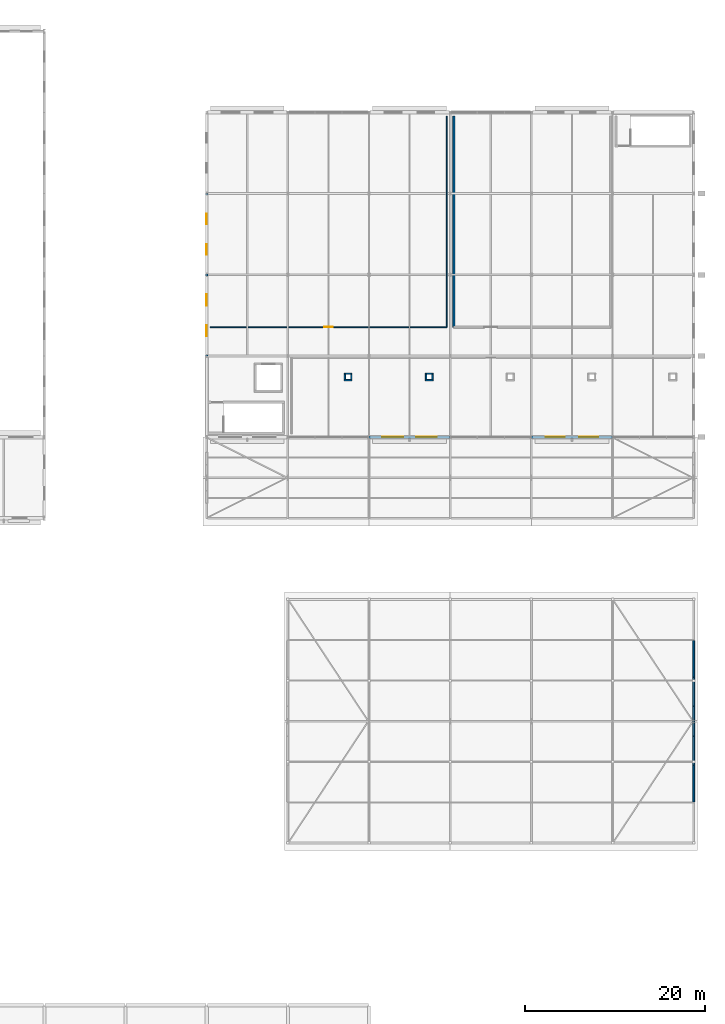
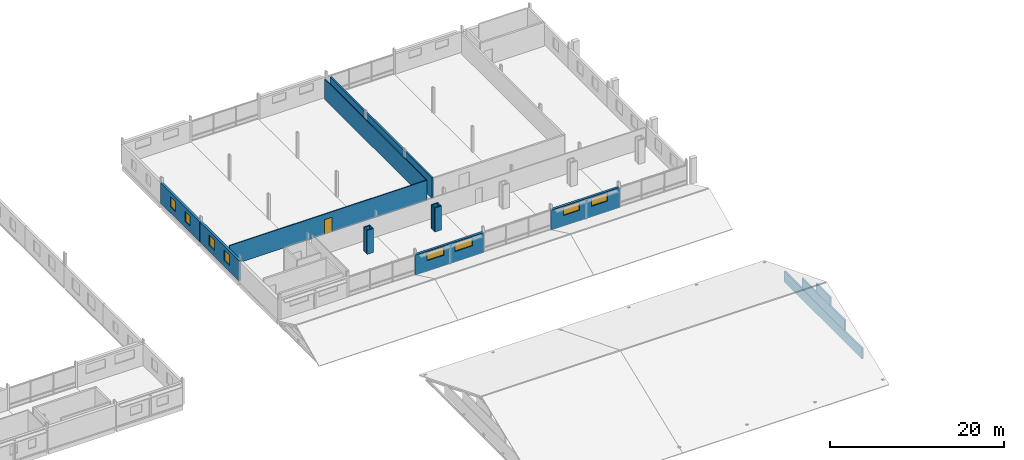
# One storey, part 113 of 132: 18 walls, 8 windows, 1 door, 9 openings.
"""IFC4 building model written with IfcOpenShell, lengths in metres."""

from ifc_helpers import new_model, si_unit, direction, frame, frame_2d, origin, place, context, subcontext, project, spatial, rectangle, extrude, material, layer, layer_set, type_object, element, fill, save


model = new_model("IFC4")

# Units and contexts
model_context = context("Model", 3, precision=1e-05, world=origin(), true_north=direction((0.0, 1.0)))
body_context = subcontext(model_context, "Body", "Model", "MODEL_VIEW")
ifc_project = project(units=[si_unit("LENGTHUNIT", "METRE"), si_unit("AREAUNIT", "SQUARE_METRE"), si_unit("VOLUMEUNIT", "CUBIC_METRE"), si_unit("PLANEANGLEUNIT", "RADIAN"), si_unit("MASSUNIT", "GRAM", prefix="KILO")], contexts=[model_context])

# Site, building, storey
site_placement = place(None, origin())
site = spatial("IfcSite", under=ifc_project, at=site_placement, CompositionType="ELEMENT")
building_placement = place(site_placement, origin())
building = spatial("IfcBuilding", under=site, at=building_placement, Name="Tharagai Park Tramway Depot", CompositionType="ELEMENT")
storey_placement = place(building_placement, frame((0.0, 0.0, 4.800048828125)))
storey = spatial("IfcBuildingStorey", under=building, at=storey_placement, Name="L01", CompositionType="ELEMENT", Elevation=4.800048828125)

# Wall, openings, windows
ifc_material_1 = material(Name="Pressed clay brick", Category="masonry")
ifc_layer_1 = layer(ifc_material_1, 0.300048828125)
ifc_layer_set_1 = layer_set([ifc_layer_1], Name="Pressed clay brick")
wall_type_1 = type_object("IfcWallType", Name="EW-08", PredefinedType="SOLIDWALL", material=ifc_layer_set_1)
wall_1_placement = place(storey_placement, frame((180.00390625, 99.0, 0.0), z_axis=(0.0, 0.0, 1.0), x_axis=(1.0, 0.0, 0.0)))
wall_1 = element("IfcWall", 1, at=wall_1_placement, inside=storey, type_object=wall_type_1, Name="L01 V3 Exterior Masonry Wall EW-08", PredefinedType="SOLIDWALL", context=body_context, shape_type="SweptSolid", body=[
    extrude(rectangle(XDim=8.9921875, YDim=0.300048828125, at=frame_2d((4.49609375, 0.0))), origin(), (0.0, 0.0, 1.0), 2.842041015625),
])
opening_1_placement = place(wall_1_placement, frame((1.464111328125, 0.0, 1.5)))
opening_1 = element("IfcOpeningElement", 2, at=opening_1_placement, cuts=wall_1, Name="Opening WN-50", PredefinedType="OPENING", context=body_context, shape_type="SweptSolid", body=[
    extrude(rectangle(XDim=2.300048828125, YDim=1.159912109375, at=frame_2d((1.14990234375, 0.580078125))), frame((0.0, 0.159912109375, 0.0), z_axis=(0.0, -1.0, 0.0), x_axis=(1.0, 0.0, 0.0)), (0.0, 0.0, 1.0), 0.320068359375),
])
opening_2_placement = place(wall_1_placement, frame((5.22802734375, 0.0, 1.5)))
opening_2 = element("IfcOpeningElement", 3, at=opening_2_placement, cuts=wall_1, Name="Opening WN-50", PredefinedType="OPENING", context=body_context, shape_type="SweptSolid", body=[
    extrude(rectangle(XDim=2.300048828125, YDim=1.159912109375, at=frame_2d((1.14990234375, 0.580078125))), frame((0.0, 0.159912109375, 0.0), z_axis=(0.0, -1.0, 0.0), x_axis=(1.0, 0.0, 0.0)), (0.0, 0.0, 1.0), 0.320068359375),
])
ifc_material_2 = material(Name="Laminated solar-control glass", Category="glass")
window_type_1 = type_object("IfcWindowType", Name="WN-50", PartitioningType="SINGLE_PANEL", PredefinedType="WINDOW", material=ifc_material_2)
window_1_placement = place(opening_1_placement, origin())
window_1 = element("IfcWindow", 4, at=window_1_placement, inside=storey, type_object=window_type_1, Name="L01 V3 Gothic Lancet Window WN-50", OverallHeight=1.159912109375, OverallWidth=2.300048828125, PartitioningType="SINGLE_PANEL", PredefinedType="WINDOW", context=body_context, shape_type="SweptSolid", body=[
    extrude(rectangle(XDim=2.300048828125, YDim=1.159912109375, at=frame_2d((1.14990234375, 0.580078125))), frame((0.0, 0.030029296875, 0.0), z_axis=(0.0, -1.0, 0.0), x_axis=(1.0, 0.0, 0.0)), (0.0, 0.0, 1.0), 0.06005859375),
])
fill(opening_1, window_1)
window_2_placement = place(opening_2_placement, origin())
window_2 = element("IfcWindow", 5, at=window_2_placement, inside=storey, type_object=window_type_1, Name="L01 V3 Gothic Lancet Window WN-50", OverallHeight=1.159912109375, OverallWidth=2.300048828125, PartitioningType="SINGLE_PANEL", PredefinedType="WINDOW", context=body_context, shape_type="SweptSolid", body=[
    extrude(rectangle(XDim=2.300048828125, YDim=1.159912109375, at=frame_2d((1.14990234375, 0.580078125))), frame((0.0, 0.030029296875, 0.0), z_axis=(0.0, -1.0, 0.0), x_axis=(1.0, 0.0, 0.0)), (0.0, 0.0, 1.0), 0.06005859375),
])
fill(opening_2, window_2)

wall_2_placement = place(storey_placement, frame((198.00390625, 99.0, 0.0), z_axis=(0.0, 0.0, 1.0), x_axis=(1.0, 0.0, 0.0)))
wall_2 = element("IfcWall", 6, at=wall_2_placement, inside=storey, type_object=wall_type_1, Name="L01 V3 Exterior Masonry Wall EW-08", PredefinedType="SOLIDWALL", context=body_context, shape_type="SweptSolid", body=[
    extrude(rectangle(XDim=8.9921875, YDim=0.300048828125, at=frame_2d((4.49609375, 0.0))), origin(), (0.0, 0.0, 1.0), 2.842041015625),
])
opening_3_placement = place(wall_2_placement, frame((1.56396484375, 0.0, 1.5)))
opening_3 = element("IfcOpeningElement", 7, at=opening_3_placement, cuts=wall_2, Name="Opening WN-13", PredefinedType="OPENING", context=body_context, shape_type="SweptSolid", body=[
    extrude(rectangle(XDim=2.14990234375, YDim=1.1201171875, at=frame_2d((1.074951171875, 0.56005859375))), frame((0.0, 0.159912109375, 0.0), z_axis=(0.0, -1.0, 0.0), x_axis=(1.0, 0.0, 0.0)), (0.0, 0.0, 1.0), 0.320068359375),
])
opening_4_placement = place(wall_2_placement, frame((5.278076171875, 0.0, 1.5)))
opening_4 = element("IfcOpeningElement", 8, at=opening_4_placement, cuts=wall_2, Name="Opening WN-13", PredefinedType="OPENING", context=body_context, shape_type="SweptSolid", body=[
    extrude(rectangle(XDim=2.14990234375, YDim=1.1201171875, at=frame_2d((1.074951171875, 0.56005859375))), frame((0.0, 0.159912109375, 0.0), z_axis=(0.0, -1.0, 0.0), x_axis=(1.0, 0.0, 0.0)), (0.0, 0.0, 1.0), 0.320068359375),
])
window_type_2 = type_object("IfcWindowType", Name="WN-13", PartitioningType="SINGLE_PANEL", PredefinedType="WINDOW", material=ifc_material_2)
window_3_placement = place(opening_3_placement, origin())
window_3 = element("IfcWindow", 9, at=window_3_placement, inside=storey, type_object=window_type_2, Name="L01 V3 Gothic Lancet Window WN-13", OverallHeight=1.1201171875, OverallWidth=2.14990234375, PartitioningType="SINGLE_PANEL", PredefinedType="WINDOW", context=body_context, shape_type="SweptSolid", body=[
    extrude(rectangle(XDim=2.14990234375, YDim=1.1201171875, at=frame_2d((1.074951171875, 0.56005859375))), frame((0.0, 0.030029296875, 0.0), z_axis=(0.0, -1.0, 0.0), x_axis=(1.0, 0.0, 0.0)), (0.0, 0.0, 1.0), 0.06005859375),
])
fill(opening_3, window_3)
window_4_placement = place(opening_4_placement, origin())
window_4 = element("IfcWindow", 10, at=window_4_placement, inside=storey, type_object=window_type_2, Name="L01 V3 Gothic Lancet Window WN-13", OverallHeight=1.1201171875, OverallWidth=2.14990234375, PartitioningType="SINGLE_PANEL", PredefinedType="WINDOW", context=body_context, shape_type="SweptSolid", body=[
    extrude(rectangle(XDim=2.14990234375, YDim=1.1201171875, at=frame_2d((1.074951171875, 0.56005859375))), frame((0.0, 0.030029296875, 0.0), z_axis=(0.0, -1.0, 0.0), x_axis=(1.0, 0.0, 0.0)), (0.0, 0.0, 1.0), 0.06005859375),
])
fill(opening_4, window_4)

wall_3_placement = place(storey_placement, frame((162.0, 108.00390625, 0.0), z_axis=(0.0, 0.0, 1.0), x_axis=(0.0, 1.0, 0.0)))
wall_3 = element("IfcWall", 11, at=wall_3_placement, inside=storey, type_object=wall_type_1, Name="L01 V3 Exterior Masonry Wall EW-08", PredefinedType="SOLIDWALL", context=body_context, shape_type="SweptSolid", body=[
    extrude(rectangle(XDim=8.9921875, YDim=0.300048828125, at=frame_2d((4.49609375, 0.0))), origin(), (0.0, 0.0, 1.0), 2.842041015625),
])
opening_5_placement = place(wall_3_placement, frame((2.156982421875, 0.0, 0.85009765625)))
opening_5 = element("IfcOpeningElement", 12, at=opening_5_placement, cuts=wall_3, Name="Opening WN-09", PredefinedType="OPENING", context=body_context, shape_type="SweptSolid", body=[
    extrude(rectangle(XDim=1.260009765625, YDim=1.4599609375, at=frame_2d((0.6298828125, 0.72998046875))), frame((0.0, 0.159912109375, 0.0), z_axis=(0.0, -1.0, 0.0), x_axis=(1.0, 0.0, 0.0)), (0.0, 0.0, 1.0), 0.320068359375),
])
opening_6_placement = place(wall_3_placement, frame((5.574951171875, 0.0, 0.85009765625)))
opening_6 = element("IfcOpeningElement", 13, at=opening_6_placement, cuts=wall_3, Name="Opening WN-09", PredefinedType="OPENING", context=body_context, shape_type="SweptSolid", body=[
    extrude(rectangle(XDim=1.260009765625, YDim=1.4599609375, at=frame_2d((0.6298828125, 0.72998046875))), frame((0.0, 0.159912109375, 0.0), z_axis=(0.0, -1.0, 0.0), x_axis=(1.0, 0.0, 0.0)), (0.0, 0.0, 1.0), 0.320068359375),
])
window_type_3 = type_object("IfcWindowType", Name="WN-09", PartitioningType="SINGLE_PANEL", PredefinedType="WINDOW", material=ifc_material_2)
window_5_placement = place(opening_5_placement, origin())
window_5 = element("IfcWindow", 14, at=window_5_placement, inside=storey, type_object=window_type_3, Name="L01 V3 Side Lancet Window WN-09", OverallHeight=1.4599609375, OverallWidth=1.260009765625, PartitioningType="SINGLE_PANEL", PredefinedType="WINDOW", context=body_context, shape_type="SweptSolid", body=[
    extrude(rectangle(XDim=1.260009765625, YDim=1.4599609375, at=frame_2d((0.6298828125, 0.72998046875))), frame((0.0, 0.030029296875, 0.0), z_axis=(0.0, -1.0, 0.0), x_axis=(1.0, 0.0, 0.0)), (0.0, 0.0, 1.0), 0.06005859375),
])
fill(opening_5, window_5)
window_6_placement = place(opening_6_placement, origin())
window_6 = element("IfcWindow", 15, at=window_6_placement, inside=storey, type_object=window_type_3, Name="L01 V3 Side Lancet Window WN-09", OverallHeight=1.4599609375, OverallWidth=1.260009765625, PartitioningType="SINGLE_PANEL", PredefinedType="WINDOW", context=body_context, shape_type="SweptSolid", body=[
    extrude(rectangle(XDim=1.260009765625, YDim=1.4599609375, at=frame_2d((0.6298828125, 0.72998046875))), frame((0.0, 0.030029296875, 0.0), z_axis=(0.0, -1.0, 0.0), x_axis=(1.0, 0.0, 0.0)), (0.0, 0.0, 1.0), 0.06005859375),
])
fill(opening_6, window_6)

wall_4_placement = place(storey_placement, frame((162.0, 117.00390625, 0.0), z_axis=(0.0, 0.0, 1.0), x_axis=(0.0, 1.0, 0.0)))
wall_4 = element("IfcWall", 16, at=wall_4_placement, inside=storey, type_object=wall_type_1, Name="L01 V3 Exterior Masonry Wall EW-08", PredefinedType="SOLIDWALL", context=body_context, shape_type="SweptSolid", body=[
    extrude(rectangle(XDim=8.9921875, YDim=0.300048828125, at=frame_2d((4.49609375, 0.0))), origin(), (0.0, 0.0, 1.0), 2.842041015625),
])
opening_7_placement = place(wall_4_placement, frame((2.22412109375, 0.0, 0.85009765625)))
opening_7 = element("IfcOpeningElement", 17, at=opening_7_placement, cuts=wall_4, Name="Opening WN-42", PredefinedType="OPENING", context=body_context, shape_type="SweptSolid", body=[
    extrude(rectangle(XDim=1.159912109375, YDim=1.39990234375, at=frame_2d((0.580078125, 0.699951171875))), frame((0.0, 0.159912109375, 0.0), z_axis=(0.0, -1.0, 0.0), x_axis=(1.0, 0.0, 0.0)), (0.0, 0.0, 1.0), 0.320068359375),
])
opening_8_placement = place(wall_4_placement, frame((5.60791015625, 0.0, 0.85009765625)))
opening_8 = element("IfcOpeningElement", 18, at=opening_8_placement, cuts=wall_4, Name="Opening WN-42", PredefinedType="OPENING", context=body_context, shape_type="SweptSolid", body=[
    extrude(rectangle(XDim=1.159912109375, YDim=1.39990234375, at=frame_2d((0.580078125, 0.699951171875))), frame((0.0, 0.159912109375, 0.0), z_axis=(0.0, -1.0, 0.0), x_axis=(1.0, 0.0, 0.0)), (0.0, 0.0, 1.0), 0.320068359375),
])
window_type_4 = type_object("IfcWindowType", Name="WN-42", PartitioningType="SINGLE_PANEL", PredefinedType="WINDOW", material=ifc_material_2)
window_7_placement = place(opening_7_placement, origin())
window_7 = element("IfcWindow", 19, at=window_7_placement, inside=storey, type_object=window_type_4, Name="L01 V3 Side Lancet Window WN-42", OverallHeight=1.39990234375, OverallWidth=1.159912109375, PartitioningType="SINGLE_PANEL", PredefinedType="WINDOW", context=body_context, shape_type="SweptSolid", body=[
    extrude(rectangle(XDim=1.159912109375, YDim=1.39990234375, at=frame_2d((0.580078125, 0.699951171875))), frame((0.0, 0.030029296875, 0.0), z_axis=(0.0, -1.0, 0.0), x_axis=(1.0, 0.0, 0.0)), (0.0, 0.0, 1.0), 0.06005859375),
])
fill(opening_7, window_7)
window_8_placement = place(opening_8_placement, origin())
window_8 = element("IfcWindow", 20, at=window_8_placement, inside=storey, type_object=window_type_4, Name="L01 V3 Side Lancet Window WN-42", OverallHeight=1.39990234375, OverallWidth=1.159912109375, PartitioningType="SINGLE_PANEL", PredefinedType="WINDOW", context=body_context, shape_type="SweptSolid", body=[
    extrude(rectangle(XDim=1.159912109375, YDim=1.39990234375, at=frame_2d((0.580078125, 0.699951171875))), frame((0.0, 0.030029296875, 0.0), z_axis=(0.0, -1.0, 0.0), x_axis=(1.0, 0.0, 0.0)), (0.0, 0.0, 1.0), 0.06005859375),
])
fill(opening_8, window_8)

# Walls
ifc_layer_2 = layer(ifc_material_1, 0.159912109375)
ifc_layer_set_2 = layer_set([ifc_layer_2], Name="Pressed clay brick")
wall_type_2 = type_object("IfcWallType", Name="IW-02", PredefinedType="PARTITIONING", material=ifc_layer_set_2)
for number, where, z_axis, x_axis, name in (
    (21, (177.239990234375, 105.320068359375, 0.0), (0.0, 0.0, 1.0), (1.0, 0.0, 0.0), "L01 Pipe Riser Enclosure Wall 10 S"),
    (22, (177.239990234375, 106.030029296875, 0.0), (0.0, 0.0, 1.0), (1.0, 0.0, 0.0), "L01 Pipe Riser Enclosure Wall 10 N"),
):
    element("IfcWall", number, at=place(storey_placement, frame(where, z_axis=z_axis, x_axis=x_axis)), inside=storey, type_object=wall_type_2, Name=name, PredefinedType="PARTITIONING", context=body_context, shape_type="SweptSolid", body=[
        extrude(rectangle(XDim=0.8701171875, YDim=0.159912109375, at=frame_2d((0.43505859375, 0.0))), origin(), (0.0, 0.0, 1.0), 3.349853515625),
    ])
for number, where, z_axis, x_axis, name in (
    (23, (177.320068359375, 105.39990234375, 0.0), (0.0, 0.0, 1.0), (0.0, 1.0, 0.0), "L01 Pipe Riser Enclosure Wall 10 W"),
    (24, (178.030029296875, 105.39990234375, 0.0), (0.0, 0.0, 1.0), (0.0, 1.0, 0.0), "L01 Pipe Riser Enclosure Wall 10 E"),
):
    element("IfcWall", number, at=place(storey_placement, frame(where, z_axis=z_axis, x_axis=x_axis)), inside=storey, type_object=wall_type_2, Name=name, PredefinedType="PARTITIONING", context=body_context, shape_type="SweptSolid", body=[
        extrude(rectangle(XDim=0.550048828125, YDim=0.159912109375, at=frame_2d((0.27490234375, 0.0))), origin(), (0.0, 0.0, 1.0), 3.349853515625),
    ])
for number, where, z_axis, x_axis, name in (
    (25, (186.239990234375, 105.320068359375, 0.0), (0.0, 0.0, 1.0), (1.0, 0.0, 0.0), "L01 Pipe Riser Enclosure Wall 11 S"),
    (26, (186.239990234375, 106.030029296875, 0.0), (0.0, 0.0, 1.0), (1.0, 0.0, 0.0), "L01 Pipe Riser Enclosure Wall 11 N"),
):
    element("IfcWall", number, at=place(storey_placement, frame(where, z_axis=z_axis, x_axis=x_axis)), inside=storey, type_object=wall_type_2, Name=name, PredefinedType="PARTITIONING", context=body_context, shape_type="SweptSolid", body=[
        extrude(rectangle(XDim=0.8701171875, YDim=0.159912109375, at=frame_2d((0.43505859375, 0.0))), origin(), (0.0, 0.0, 1.0), 3.349853515625),
    ])
for number, where, z_axis, x_axis, name in (
    (27, (186.320068359375, 105.39990234375, 0.0), (0.0, 0.0, 1.0), (0.0, 1.0, 0.0), "L01 Pipe Riser Enclosure Wall 11 W"),
    (28, (187.030029296875, 105.39990234375, 0.0), (0.0, 0.0, 1.0), (0.0, 1.0, 0.0), "L01 Pipe Riser Enclosure Wall 11 E"),
):
    element("IfcWall", number, at=place(storey_placement, frame(where, z_axis=z_axis, x_axis=x_axis)), inside=storey, type_object=wall_type_2, Name=name, PredefinedType="PARTITIONING", context=body_context, shape_type="SweptSolid", body=[
        extrude(rectangle(XDim=0.550048828125, YDim=0.159912109375, at=frame_2d((0.27490234375, 0.0))), origin(), (0.0, 0.0, 1.0), 3.349853515625),
    ])

# Wall, opening, door
ifc_material_3 = material(Name="Gypsum board", Category="gypsum")
ifc_layer_3 = layer(ifc_material_3, 0.1201171875)
ifc_layer_set_3 = layer_set([ifc_layer_3], Name="Gypsum board")
wall_type_3 = type_object("IfcWallType", Name="IW-03", PredefinedType="PARTITIONING", material=ifc_layer_set_3)
wall_5_placement = place(storey_placement, frame((162.39990234375, 111.199951171875, 0.0), z_axis=(0.0, 0.0, 1.0), x_axis=(1.0, 0.0, 0.0)))
wall_5 = element("IfcWall", 29, at=wall_5_placement, inside=storey, type_object=wall_type_3, Name="Water Quality Testing Laboratory Partition South", PredefinedType="PARTITIONING", context=body_context, shape_type="SweptSolid", body=[
    extrude(rectangle(XDim=26.2001953125, YDim=0.1201171875, at=frame_2d((13.10009765625, 0.0))), origin(), (0.0, 0.0, 1.0), 2.844970703125),
])
opening_9_placement = place(wall_5_placement, frame((12.610107421875, 0.0, 0.0)))
opening_9 = element("IfcOpeningElement", 30, at=opening_9_placement, cuts=wall_5, Name="Opening ID-02", PredefinedType="OPENING", context=body_context, shape_type="SweptSolid", body=[
    extrude(rectangle(XDim=0.97998046875, YDim=2.080078125, at=frame_2d((0.489990234375, 1.0400390625))), frame((0.0, 0.070068359375, 0.0), z_axis=(0.0, -1.0, 0.0), x_axis=(1.0, 0.0, 0.0)), (0.0, 0.0, 1.0), 0.14013671875),
])
ifc_material_4 = material(Name="Pressed timber", Category="wood")
door_type = type_object("IfcDoorType", Name="ID-02", OperationType="NOTDEFINED", PredefinedType="DOOR", material=ifc_material_4)
door_placement = place(opening_9_placement, frame((0.97998046875, 0.0, 0.0), z_axis=(0.0, 0.0, 1.0), x_axis=(-1.0, 0.0, 0.0)))
door = element("IfcDoor", 31, at=door_placement, inside=storey, type_object=door_type, Name="Water Quality Testing Laboratory Door", OperationType="SINGLE_SWING_LEFT", OverallHeight=2.080078125, OverallWidth=0.97998046875, PredefinedType="DOOR", context=body_context, shape_type="SweptSolid", body=[
    extrude(rectangle(XDim=0.97998046875, YDim=2.080078125, at=frame_2d((0.489990234375, 1.0400390625))), frame((0.0, 0.02490234375, 0.0), z_axis=(0.0, -1.0, 0.0), x_axis=(1.0, 0.0, 0.0)), (0.0, 0.0, 1.0), 0.050048828125),
])
fill(opening_9, door)

# Walls
wall_6_placement = place(storey_placement, frame((188.60009765625, 111.199951171875, 0.0), z_axis=(0.0, 0.0, 1.0), x_axis=(0.0, 1.0, 0.0)))
element("IfcWall", 32, at=wall_6_placement, inside=storey, type_object=wall_type_3, Name="Water Quality Testing Laboratory Partition East", PredefinedType="PARTITIONING", context=body_context, shape_type="SweptSolid", body=[
    extrude(rectangle(XDim=23.400146484375, YDim=0.1201171875, at=frame_2d((11.7001953125, 0.0))), origin(), (0.0, 0.0, 1.0), 2.844970703125),
])
ifc_layer_4 = layer(ifc_material_1, 0.219970703125)
ifc_layer_set_4 = layer_set([ifc_layer_4], Name="Pressed clay brick")
wall_type_4 = type_object("IfcWallType", Name="IW-05", PredefinedType="SOLIDWALL", material=ifc_layer_set_4)
wall_7_placement = place(storey_placement, frame((189.39990234375, 111.199951171875, 0.0), z_axis=(0.0, 0.0, 1.0), x_axis=(0.0, 1.0, 0.0)))
element("IfcWall", 33, at=wall_7_placement, inside=storey, type_object=wall_type_4, Name="Wash Hall Extraction Plant Room Partition West", PredefinedType="SOLIDWALL", context=body_context, shape_type="SweptSolid", body=[
    extrude(rectangle(XDim=23.400146484375, YDim=0.219970703125, at=frame_2d((11.7001953125, 0.0))), origin(), (0.0, 0.0, 1.0), 2.844970703125),
])
ifc_material_5 = material(Name="Charnockite stone", Category="masonry")
ifc_layer_5 = layer(ifc_material_5, 0.199951171875)
ifc_layer_set_5 = layer_set([ifc_layer_5], Name="Charnockite stone")
wall_type_5 = type_object("IfcWallType", Name="PRW-01", PredefinedType="PARAPET", material=ifc_layer_set_5)
wall_8_placement = place(storey_placement, frame((216.0, 58.570068359375, 0.099853515625), z_axis=(0.0, 0.0, 1.0), x_axis=(0.0, 1.0, 0.0)))
element("IfcWall", 34, at=wall_8_placement, inside=storey, type_object=wall_type_5, Name="V6 Gothic Gable Tympanum Parapet Course 1", PredefinedType="PARAPET", context=body_context, shape_type="SweptSolid", body=[
    extrude(rectangle(XDim=17.85986328125, YDim=0.199951171875, at=frame_2d((8.929931640625, 0.0))), origin(), (0.0, 0.0, 1.0), 1.506103515625),
])
wall_9_placement = place(storey_placement, frame((216.0, 62.6201171875, 1.656005859375), z_axis=(0.0, 0.0, 1.0), x_axis=(0.0, 1.0, 0.0)))
element("IfcWall", 35, at=wall_9_placement, inside=storey, type_object=wall_type_5, Name="V6 Gothic Gable Tympanum Parapet Course 2", PredefinedType="PARAPET", context=body_context, shape_type="SweptSolid", body=[
    extrude(rectangle(XDim=9.759765625, YDim=0.199951171875, at=frame_2d((4.8798828125, 0.0))), origin(), (0.0, 0.0, 1.0), 1.454833984375),
])
wall_10_placement = place(storey_placement, frame((216.0, 65.860107421875, 3.160888671875), z_axis=(0.0, 0.0, 1.0), x_axis=(0.0, 1.0, 0.0)))
element("IfcWall", 36, at=wall_10_placement, inside=storey, type_object=wall_type_5, Name="V6 Gothic Gable Tympanum Parapet Course 3", PredefinedType="PARAPET", context=body_context, shape_type="SweptSolid", body=[
    extrude(rectangle(XDim=3.27978515625, YDim=0.199951171875, at=frame_2d((1.639892578125, 0.0))), origin(), (0.0, 0.0, 1.0), 1.154052734375),
])

save(model, "model.ifc")
